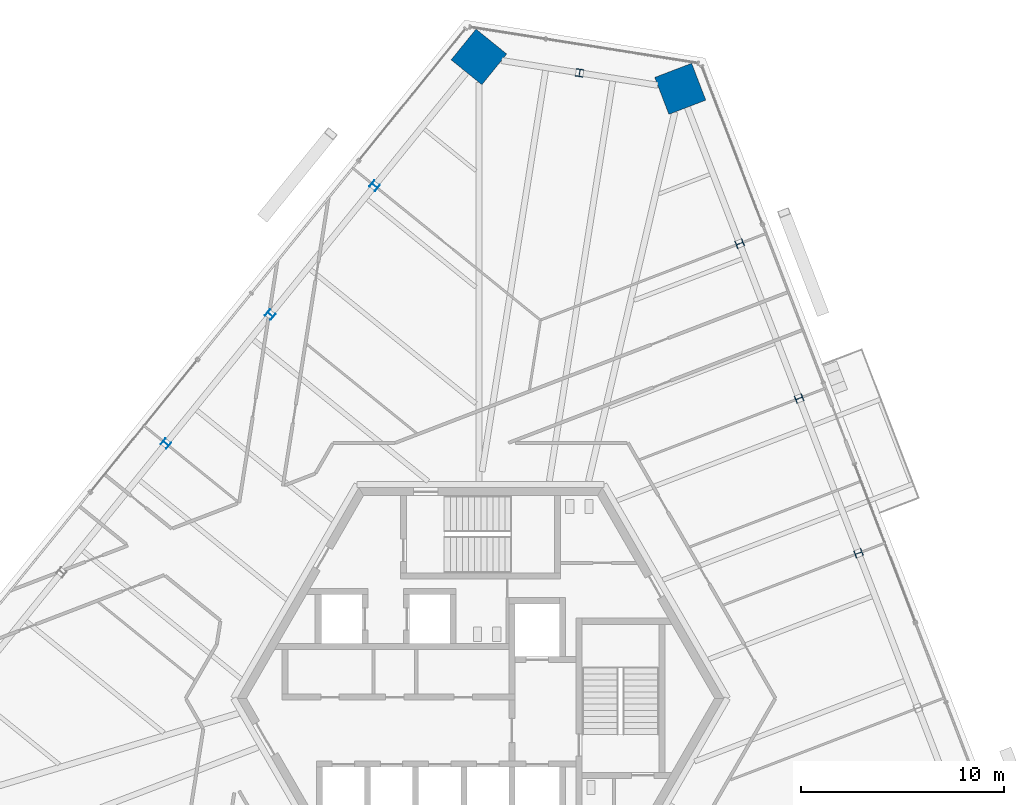
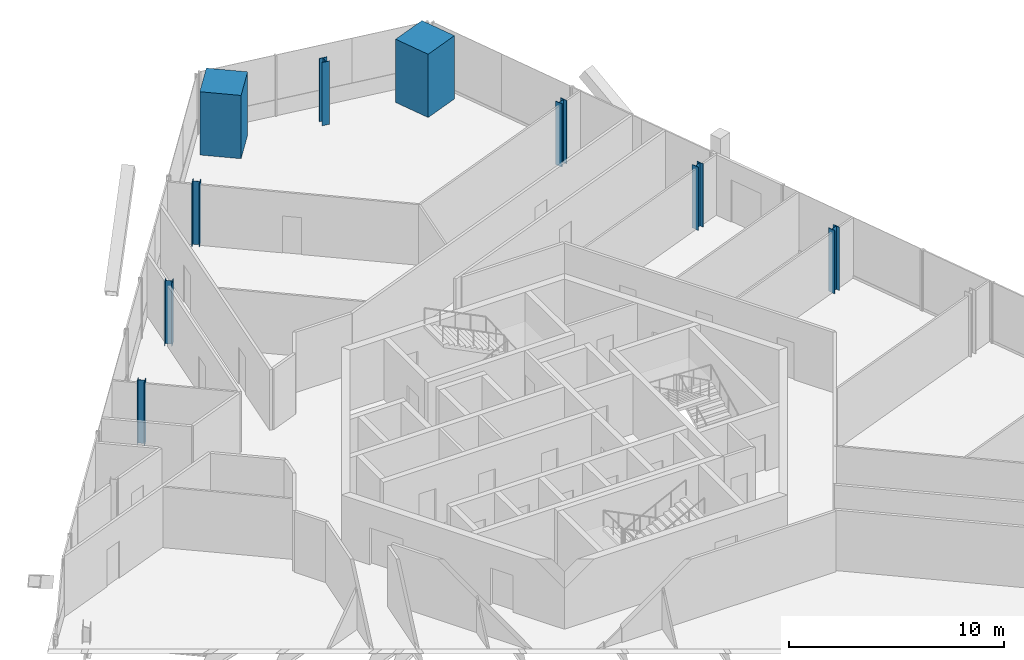
# One storey, part 3 of 19: 9 columns.
"""IFC4 building model written with IfcOpenShell, lengths in metres."""

from ifc_helpers import new_model, si_unit, direction, frame, origin, origin_2d, place, context, subcontext, project, spatial, rectangle, i_section, extrude, source, transform, mapped, material, material_profile, profile_set, type_object, element, save


model = new_model("IFC4")

# Units and contexts
model_context = context("Model", 3, precision=1e-05, world=origin(), true_north=direction((0.0, 1.0)))
body_context = subcontext(model_context, "Body", "Model", "MODEL_VIEW")
ifc_project = project(units=[si_unit("LENGTHUNIT", "METRE"), si_unit("AREAUNIT", "SQUARE_METRE"), si_unit("VOLUMEUNIT", "CUBIC_METRE"), si_unit("PLANEANGLEUNIT", "RADIAN"), si_unit("MASSUNIT", "GRAM", prefix="KILO")], contexts=[model_context])

# Site, building, storey
site_placement = place(None, origin())
site = spatial("IfcSite", under=ifc_project, at=site_placement, CompositionType="ELEMENT")
building_placement = place(site_placement, origin())
building = spatial("IfcBuilding", under=site, at=building_placement, Name="Triune Harvest Tower", CompositionType="ELEMENT")
storey_placement = place(building_placement, frame((0.0, 0.0, 164.10009765625)))
storey = spatial("IfcBuildingStorey", under=building, at=storey_placement, Name="L42", CompositionType="ELEMENT", Elevation=164.10009765625)

# Columns
ifc_material_1 = material(Name="Concrete 70 MPa", Category="concrete")
ifc_material_profile_1 = material_profile(ifc_material_1, rectangle(XDim=1.949951171875, YDim=1.949951171875, at=origin_2d()), Name="Composite 1950x1950")
ifc_profile_set_1 = profile_set([ifc_material_profile_1], Name="Concrete 70 MPa")
column_type_1 = type_object("IfcColumnType", Name="MC-4 Mega column Composite 1950x1950", PredefinedType="COLUMN", material=ifc_profile_set_1)
shared_shape_1 = source(origin(), body_context, "Body", "SweptSolid", [
    extrude(rectangle(XDim=1.949951171875, YDim=1.949951171875, at=origin_2d()), origin(), (0.0, 0.0, 1.0), 3.599853515625),
])
for number, where, z_axis, x_axis, name in (
    (1, (9.846923828125, 30.0498046875, 0.0), (0.0, 0.0, 1.0), (-0.358367949545, 0.933580426497, 0.0), "col/L42/M6"),
    (2, (-0.0791015625, 31.621826171875, 0.0), (0.0, 0.0, 1.0), (-0.629321747424, -0.777144863084, 0.0), "col/L42/M8"),
):
    element("IfcColumn", number, at=place(storey_placement, frame(where, z_axis=z_axis, x_axis=x_axis)), inside=storey, type_object=column_type_1, Name=name, PredefinedType="COLUMN", context=body_context, shape_type="MappedRepresentation", body=[
        mapped(shared_shape_1, transform((0.0, 0.0, 0.0), scale=1.0)),
    ])
ifc_material_2 = material(Name="Steel ASTM A992 Gr 50", Category="steel")
ifc_material_profile_2 = material_profile(ifc_material_2, i_section(OverallWidth=0.373291015625, OverallDepth=0.373291015625, WebThickness=0.016357421875, FlangeThickness=0.026123046875, at=origin_2d()), Name="W14x132")
ifc_profile_set_2 = profile_set([ifc_material_profile_2], Name="Steel ASTM A992 Gr 50")
column_type_2 = type_object("IfcColumnType", Name="PC-4 Perimeter column W14x132", PredefinedType="COLUMN", material=ifc_profile_set_2)
shared_shape_2 = source(origin(), body_context, "Body", "SweptSolid", [
    extrude(i_section(OverallWidth=0.373291015625, OverallDepth=0.373291015625, WebThickness=0.016357421875, FlangeThickness=0.026123046875, at=origin_2d()), origin(), (0.0, 0.0, 1.0), 3.599853515625),
])
for number, where, z_axis, x_axis, name in (
    (3, (18.635986328125, 7.15380859375, 0.0), (0.0, 0.0, 1.0), (-0.358367949545, 0.933580426497, 0.0), "col/L42/P3"),
    (4, (15.706298828125, 14.78564453125, 0.0), (0.0, 0.0, 1.0), (-0.358367949545, 0.933580426497, 0.0), "col/L42/P4"),
    (5, (12.776611328125, 22.417724609375, 0.0), (0.0, 0.0, 1.0), (-0.358367949545, 0.933580426497, 0.0), "col/L42/P5"),
    (6, (4.8837890625, 30.8359375, 0.0), (0.0, 0.0, 1.0), (-0.987688340595, 0.15643446504, 0.0), "col/L42/P7"),
    (7, (-5.223876953125, 25.268798828125, 0.0), (0.0, 0.0, 1.0), (-0.629321747424, -0.777144863084, 0.0), "col/L42/P9"),
    (8, (-10.36865234375, 18.91552734375, 0.0), (0.0, 0.0, 1.0), (-0.629321747424, -0.777144863084, 0.0), "col/L42/P10"),
    (9, (-15.51318359375, 12.5625, 0.0), (0.0, 0.0, 1.0), (-0.629321747424, -0.777144863084, 0.0), "col/L42/P11"),
):
    element("IfcColumn", number, at=place(storey_placement, frame(where, z_axis=z_axis, x_axis=x_axis)), inside=storey, type_object=column_type_2, Name=name, PredefinedType="COLUMN", context=body_context, shape_type="MappedRepresentation", body=[
        mapped(shared_shape_2, transform((0.0, 0.0, 0.0), scale=1.0)),
    ])

save(model, "model.ifc")
